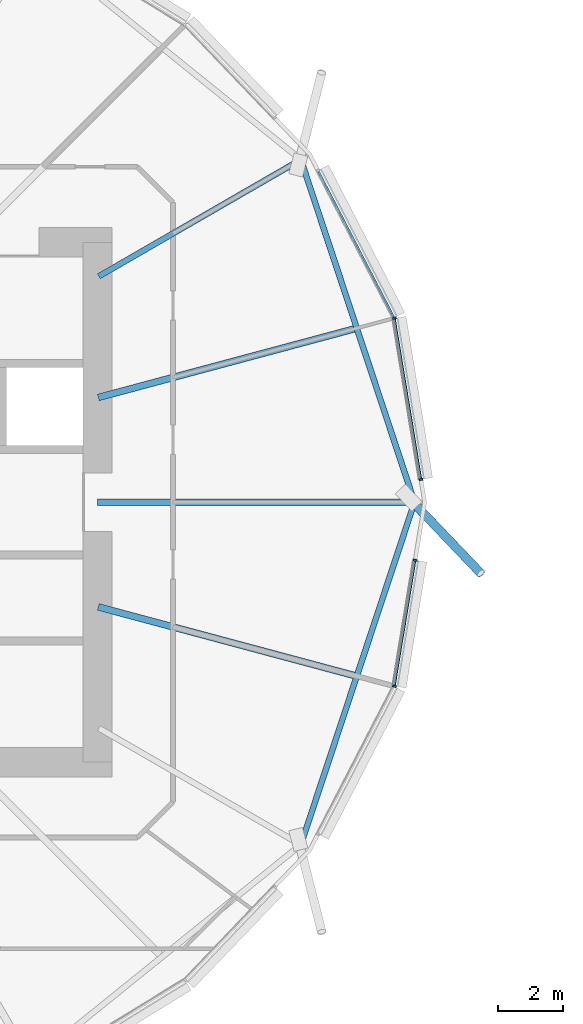
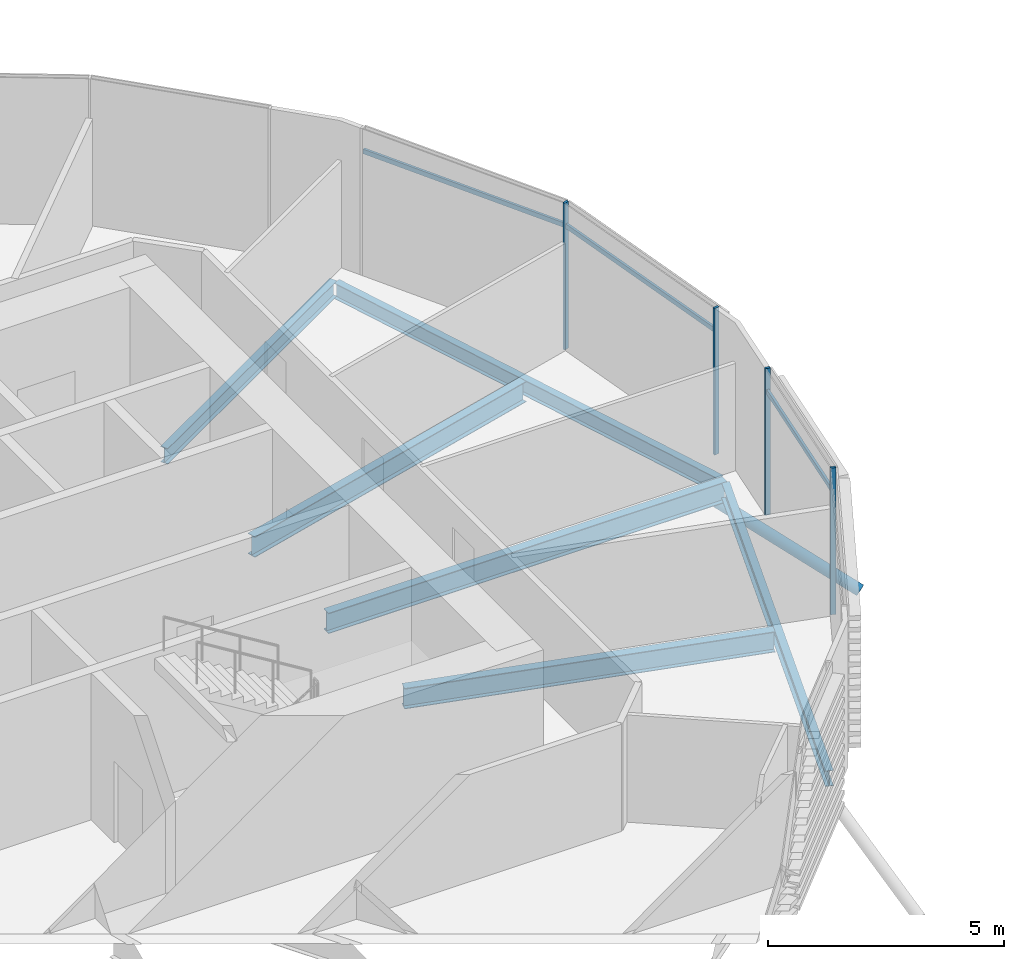
# One storey, part 8 of 36: 8 members, 6 beams, 1 element without a shape of its own.
"""IFC4 building model written with IfcOpenShell, lengths in metres."""

from ifc_helpers import new_model, si_unit, direction, frame, origin, origin_2d, place, context, subcontext, project, spatial, rectangle, hollow_circle, i_section, extrude, clip, halfspace, material, material_profile, profile_set, type_object, element, aggregate, save


model = new_model("IFC4")

# Units and contexts
model_context = context("Model", 3, precision=1e-05, world=origin(), true_north=direction((0.0, 1.0)))
body_context = subcontext(model_context, "Body", "Model", "MODEL_VIEW")
ifc_project = project(units=[si_unit("LENGTHUNIT", "METRE"), si_unit("AREAUNIT", "SQUARE_METRE"), si_unit("VOLUMEUNIT", "CUBIC_METRE"), si_unit("PLANEANGLEUNIT", "RADIAN"), si_unit("MASSUNIT", "GRAM", prefix="KILO")], contexts=[model_context])

# Site, building, storey
site_placement = place(None, origin())
site = spatial("IfcSite", under=ifc_project, at=site_placement, CompositionType="ELEMENT")
building_placement = place(site_placement, origin())
building = spatial("IfcBuilding", under=site, at=building_placement, Name="Rimbun Link Towers", CompositionType="ELEMENT")
storey_placement = place(building_placement, frame((0.0, 0.0, 37.60009765625)))
storey = spatial("IfcBuildingStorey", under=building, at=storey_placement, Name="L08", CompositionType="ELEMENT", Elevation=37.60009765625)

# Curtain wall, members
ifc_material_1 = material(Name="Aluminium 6063-T6 and low-iron glass", Category="aluminium")
curtain_wall_type = type_object("IfcCurtainWallType", Name="CW1 unitised vision wall", PredefinedType="NOTDEFINED", material=ifc_material_1)
curtain_wall_placement = place(storey_placement, origin())
curtain_wall = element("IfcCurtainWall", 1, at=curtain_wall_placement, inside=storey, type_object=curtain_wall_type, Name="CW1 L08 T1", PredefinedType="NOTDEFINED")
ifc_material_2 = material(Name="Aluminium 6063-T6", Category="aluminium")
ifc_material_profile_1 = material_profile(ifc_material_2, rectangle(XDim=0.1201171875, YDim=0.06005859375, at=origin_2d()), Name="MULLION 60X120")
ifc_profile_set_1 = profile_set([ifc_material_profile_1], Name="Aluminium 6063-T6")
member_type_1 = type_object("IfcMemberType", Name="CW1 mullion 60X120", PredefinedType="MULLION", material=ifc_profile_set_1)
member_1_placement = place(storey_placement, frame((-10.609375, 5.668212890625, 0.0), z_axis=(0.0, 0.0, 1.0), x_axis=(0.949161416896, 0.314789778545, 0.0)))
member_1 = element("IfcMember", 2, at=member_1_placement, type_object=member_type_1, Name="CW1 mullion", PredefinedType="MULLION", context=body_context, shape_type="SweptSolid", body=[
    extrude(rectangle(XDim=0.1201171875, YDim=0.06005859375, at=origin_2d()), origin(), (0.0, 0.0, 1.0), 3.7998046875),
])
member_2_placement = place(storey_placement, frame((-9.791748046875, 0.700439453125, 0.0), z_axis=(0.0, 0.0, 1.0), x_axis=(0.986747549108, 0.162262978927, 0.0)))
member_2 = element("IfcMember", 3, at=member_2_placement, type_object=member_type_1, Name="CW1 mullion", PredefinedType="MULLION", context=body_context, shape_type="SweptSolid", body=[
    extrude(rectangle(XDim=0.1201171875, YDim=0.06005859375, at=origin_2d()), origin(), (0.0, 0.0, 1.0), 3.7998046875),
])
member_3_placement = place(storey_placement, frame((-10.609375, -5.668212890625, 0.0), z_axis=(0.0, 0.0, 1.0), x_axis=(0.949161416896, -0.314789778545, 0.0)))
member_3 = element("IfcMember", 4, at=member_3_placement, type_object=member_type_1, Name="CW1 mullion", PredefinedType="MULLION", context=body_context, shape_type="SweptSolid", body=[
    extrude(rectangle(XDim=0.1201171875, YDim=0.06005859375, at=origin_2d()), origin(), (0.0, 0.0, 1.0), 3.7998046875),
])
member_4_placement = place(storey_placement, frame((-9.97021484375, -1.785888671875, 0.0), z_axis=(0.0, 0.0, 1.0), x_axis=(0.986747549108, -0.162262978927, 0.0)))
member_4 = element("IfcMember", 5, at=member_4_placement, type_object=member_type_1, Name="CW1 mullion", PredefinedType="MULLION", context=body_context, shape_type="SweptSolid", body=[
    extrude(rectangle(XDim=0.1201171875, YDim=0.06005859375, at=origin_2d()), origin(), (0.0, 0.0, 1.0), 3.7998046875),
])
ifc_material_3 = material(Name="Aluminium 6063-T6", Category="aluminium")
ifc_material_profile_2 = material_profile(ifc_material_3, rectangle(XDim=0.06005859375, YDim=0.1201171875, at=origin_2d()), Name="TRANSOM 60X120")
ifc_profile_set_2 = profile_set([ifc_material_profile_2], Name="Aluminium 6063-T6")
member_type_2 = type_object("IfcMemberType", Name="CW1 transom 60X120", PredefinedType="USERDEFINED", material=ifc_profile_set_2)
member_5_placement = place(storey_placement, frame((-10.604248046875, 5.629150390625, 3.199951171875), z_axis=(0.162261690804, -0.986747760928, 0.0), x_axis=(0.986747760928, 0.162261690804, 0.0)))
member_5 = element("IfcMember", 6, at=member_5_placement, type_object=member_type_2, Name="CW1 transom", ObjectType="TRANSOM", PredefinedType="USERDEFINED", context=body_context, shape_type="SweptSolid", body=[
    extrude(rectangle(XDim=0.06005859375, YDim=0.1201171875, at=origin_2d()), origin(), (0.0, 0.0, 1.0), 4.96533203125),
])
member_6_placement = place(storey_placement, frame((-12.947265625, 10.183837890625, 3.199951171875), z_axis=(0.459538755132, -0.888157718275, 0.0), x_axis=(0.888157718275, 0.459538755132, 0.0)))
member_6 = element("IfcMember", 7, at=member_6_placement, type_object=member_type_2, Name="CW1 transom", ObjectType="TRANSOM", PredefinedType="USERDEFINED", context=body_context, shape_type="SweptSolid", body=[
    extrude(rectangle(XDim=0.06005859375, YDim=0.1201171875, at=origin_2d()), origin(), (0.0, 0.0, 1.0), 5.04541015625),
])
member_7_placement = place(storey_placement, frame((-9.97705078125, -1.815185546875, 3.199951171875), z_axis=(-0.162268101995, -0.986746706645, 0.0), x_axis=(0.986746706645, -0.162268101995, 0.0)))
member_7 = element("IfcMember", 8, at=member_7_placement, type_object=member_type_2, Name="CW1 transom", ObjectType="TRANSOM", PredefinedType="USERDEFINED", context=body_context, shape_type="SweptSolid", body=[
    extrude(rectangle(XDim=0.06005859375, YDim=0.1201171875, at=origin_2d()), origin(), (0.0, 0.0, 1.0), 3.865234375),
])
aggregate(curtain_wall, [member_1, member_2, member_3, member_4, member_5, member_6, member_7])

# Member
ifc_material_4 = material(Name="Steel S355J2H", Category="steel")
ifc_material_profile_3 = material_profile(ifc_material_4, hollow_circle(Radius=0.136474609375, WallThickness=0.012451171875, at=origin_2d()), Name="CHS 273x12.5")
ifc_profile_set_3 = profile_set([ifc_material_profile_3], Name="Steel S355J2H")
member_type_3 = type_object("IfcMemberType", Name="Floor edge link CHS 273x12.5", PredefinedType="BRACE", material=ifc_profile_set_3)
member_8_placement = place(storey_placement, frame((-10.040771484375, 0.0, -0.81396484375), z_axis=(0.610203967924, -0.638714195156, -0.468716646212), x_axis=(0.72306019728, 0.69078502525, 0.0)))
element("IfcMember", 9, at=member_8_placement, inside=storey, type_object=member_type_3, Name="Floor edge link T1 L08 00", PredefinedType="BRACE", context=body_context, shape_type="Clipping", body=[
    clip(extrude(hollow_circle(Radius=0.136474609375, WallThickness=0.012451171875, at=origin_2d()), frame((0.0, 0.0, -0.535888671875)), (0.0, 0.0, 1.0), 3.978271484375), halfspace(frame((0.0, 0.0, -0.25341796875), z_axis=(0.0, 0.883348575345, -0.468716646212)), False)),
])

# Beams
ifc_material_5 = material(Name="Steel S355J2", Category="steel")
ifc_material_profile_4 = material_profile(ifc_material_5, i_section(OverallWidth=0.177978515625, OverallDepth=0.406494140625, WebThickness=0.0078125, FlangeThickness=0.0126953125, at=origin_2d()), Name="UB 406x178x60")
ifc_profile_set_4 = profile_set([ifc_material_profile_4], Name="Steel S355J2")
beam_type_1 = type_object("IfcBeamType", Name="UB 406x178x60", PredefinedType="BEAM", material=ifc_profile_set_4)
beam_1_placement = place(storey_placement, frame((-19.70458984375, 6.954345703125, -0.36328125), z_axis=(0.866026433283, 0.499998216852, 0.0), x_axis=(-0.499998216852, 0.866026433283, 0.0)))
element("IfcBeam", 10, at=beam_1_placement, inside=storey, type_object=beam_type_1, Name="Radial beam T1 L08 02", PredefinedType="BEAM", context=body_context, shape_type="SweptSolid", body=[
    extrude(i_section(OverallWidth=0.177978515625, OverallDepth=0.406494140625, WebThickness=0.0078125, FlangeThickness=0.0126953125, at=origin_2d()), origin(), (0.0, 0.0, 1.0), 7.17822265625),
])
for number, where, z_axis, x_axis, name in (
    (11, (-10.025634765625, 0.105712890625, -0.36328125), (-0.314857323299, 0.949139012982, 0.0), (-0.949139012982, -0.314857323299, 0.0), "Edge beam T1 L08 00-02"),
    (12, (-13.459228515625, -10.456298828125, -0.36328125), (0.314857323299, 0.949139012982, 0.0), (-0.949139012982, 0.314857323299, 0.0), "Edge beam T1 L08 22-00"),
):
    element("IfcBeam", number, at=place(storey_placement, frame(where, z_axis=z_axis, x_axis=x_axis)), inside=storey, type_object=beam_type_1, Name=name, PredefinedType="BEAM", context=body_context, shape_type="SweptSolid", body=[
        extrude(i_section(OverallWidth=0.177978515625, OverallDepth=0.406494140625, WebThickness=0.0078125, FlangeThickness=0.0126953125, at=origin_2d()), origin(), (0.0, 0.0, 1.0), 10.9052734375),
    ])
ifc_material_6 = material(Name="Steel S355J2", Category="steel")
ifc_material_profile_5 = material_profile(ifc_material_6, i_section(OverallWidth=0.209228515625, OverallDepth=0.533203125, WebThickness=0.010009765625, FlangeThickness=0.015625, at=origin_2d()), Name="UB 533x210x92")
ifc_profile_set_5 = profile_set([ifc_material_profile_5], Name="Steel S355J2")
beam_type_2 = type_object("IfcBeamType", Name="UB 533x210x92", PredefinedType="BEAM", material=ifc_profile_set_5)
beam_2_placement = place(storey_placement, frame((-19.7490234375, 0.0, -0.426513671875), z_axis=(1.0, 0.0, 0.0), x_axis=(0.0, 1.0, 0.0)))
element("IfcBeam", 13, at=beam_2_placement, inside=storey, type_object=beam_type_2, Name="Radial beam T1 L08 00", PredefinedType="BEAM", context=body_context, shape_type="SweptSolid", body=[
    extrude(i_section(OverallWidth=0.209228515625, OverallDepth=0.533203125, WebThickness=0.010009765625, FlangeThickness=0.015625, at=origin_2d()), origin(), (0.0, 0.0, 1.0), 9.75830078125),
])
for number, where, z_axis, x_axis, name in (
    (14, (-19.721923828125, 3.222900390625, -0.426513671875), (0.965919821247, 0.258841455186, 0.0), (-0.258841455186, 0.965919821247, 0.0), "Radial beam T1 L08 01"),
    (15, (-19.721923828125, -3.222900390625, -0.426513671875), (0.965919821247, -0.258841455186, 0.0), (0.258841455186, 0.965919821247, 0.0), "Radial beam T1 L08 23"),
):
    element("IfcBeam", number, at=place(storey_placement, frame(where, z_axis=z_axis, x_axis=x_axis)), inside=storey, type_object=beam_type_2, Name=name, PredefinedType="BEAM", context=body_context, shape_type="SweptSolid", body=[
        extrude(i_section(OverallWidth=0.209228515625, OverallDepth=0.533203125, WebThickness=0.010009765625, FlangeThickness=0.015625, at=origin_2d()), origin(), (0.0, 0.0, 1.0), 8.1455078125),
    ])

save(model, "model.ifc")
